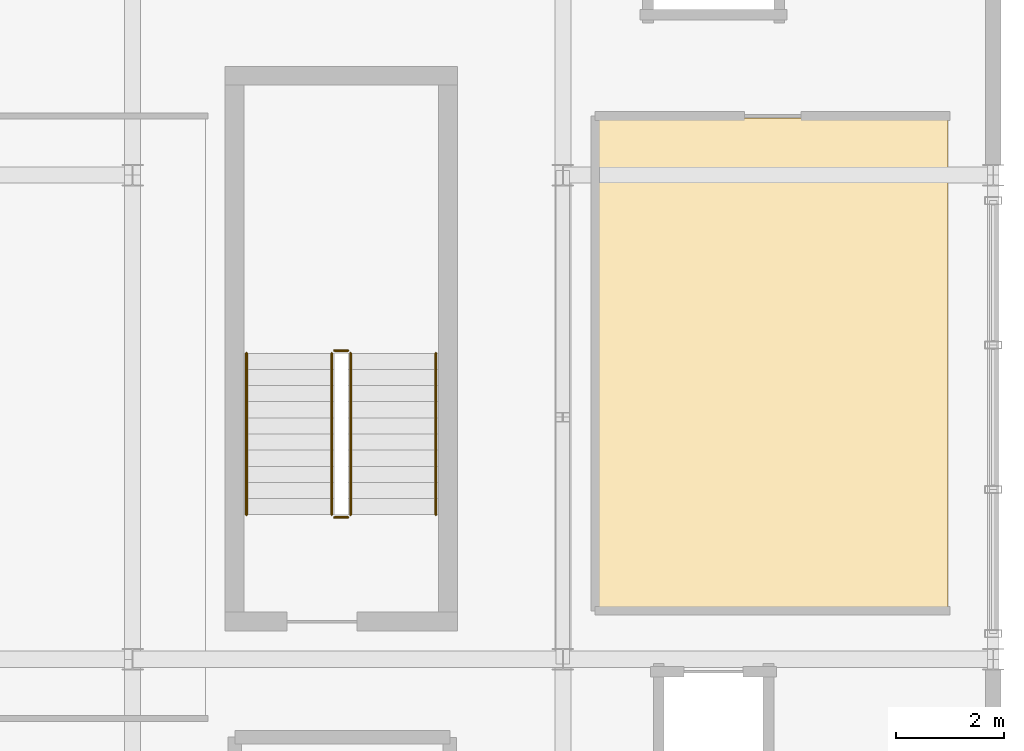
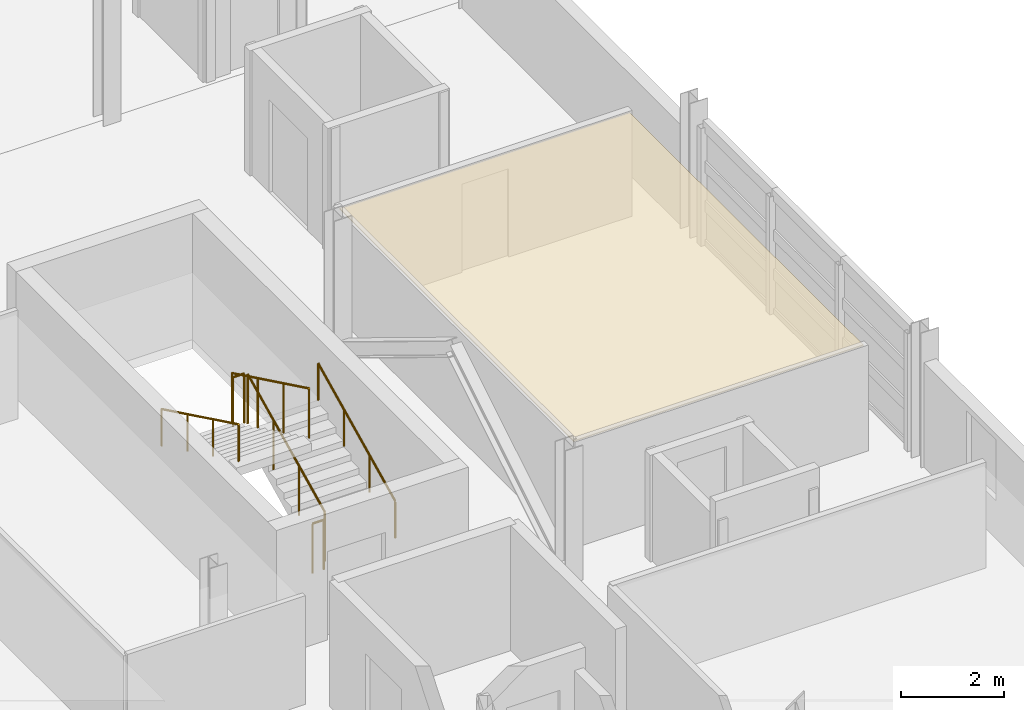
# One storey, part 82 of 86: 6 railings, 1 covering.
"""IFC4 building model written with IfcOpenShell, lengths in metres."""

from ifc_helpers import new_model, si_unit, direction, frame, origin, origin_2d, place, context, subcontext, project, spatial, polyline, circle, outline, extrude, material, layer, layer_set, type_object, element, save


model = new_model("IFC4")

# Units and contexts
model_context = context("Model", 3, precision=1e-05, world=origin(), true_north=direction((0.0, 1.0)))
body_context = subcontext(model_context, "Body", "Model", "MODEL_VIEW")
ifc_project = project(units=[si_unit("LENGTHUNIT", "METRE"), si_unit("AREAUNIT", "SQUARE_METRE"), si_unit("VOLUMEUNIT", "CUBIC_METRE"), si_unit("PLANEANGLEUNIT", "RADIAN"), si_unit("MASSUNIT", "GRAM", prefix="KILO")], contexts=[model_context])

# Site, building, storey
site_placement = place(None, origin())
site = spatial("IfcSite", under=ifc_project, at=site_placement, CompositionType="ELEMENT")
building_placement = place(site_placement, origin())
building = spatial("IfcBuilding", under=site, at=building_placement, Name="Chuanluo Vaults Station", CompositionType="ELEMENT")
storey_placement = place(building_placement, frame((0.0, 0.0, 14.39990234375)))
storey = spatial("IfcBuildingStorey", under=building, at=storey_placement, Name="L03", CompositionType="ELEMENT", Elevation=14.39990234375)

# Covering
ifc_material_1 = material(Name="Acoustic mineral-fibre tile")
ifc_layer = layer(ifc_material_1, 0.02490234375)
ifc_layer_set = layer_set([ifc_layer], Name="Acoustic mineral-fibre tile")
covering_type = type_object("IfcCoveringType", Name="COV-CEIL-TILE", PredefinedType="CEILING", material=ifc_layer_set)
covering_placement = place(storey_placement, frame((0.0, 0.0, 2.43505859375)))
element("IfcCovering", 1, at=covering_placement, inside=storey, type_object=covering_type, Name="L03-18 suspended acoustic ceiling", PredefinedType="CEILING", context=body_context, shape_type="SweptSolid", body=[
    extrude(outline(polyline([(180.639892578125, 86.43994140625), (187.159912109375, 86.43994140625), (187.159912109375, 95.56005859375), (180.639892578125, 95.56005859375), (180.639892578125, 86.43994140625)])), origin(), (0.0, 0.0, 1.0), 0.025146484375),
])

# Railings
ifc_material_2 = material(Name="Tempered laminated balustrade glass", Category="glass")
railing_type_1 = type_object("IfcRailingType", Name="RLG-GUARD-1200", PredefinedType="BALUSTRADE", material=ifc_material_2)
railing_1_placement = place(storey_placement, frame((176.052490234375, 88.1875, 0.1455078125)))
element("IfcRailing", 2, at=railing_1_placement, inside=storey, type_object=railing_type_1, Name="L03 ST-01 stair guard 1", PredefinedType="BALUSTRADE", context=body_context, shape_type="SweptSolid", body=[
    extrude(circle(Radius=0.02392578125, at=origin_2d()), frame((0.0, 0.0, 1.17578125), z_axis=(0.0, 0.899808880547, 0.43628428632), x_axis=(-1.0, 0.0, 0.0)), (0.0, 0.0, 1.0), 3.333984375),
    extrude(circle(Radius=0.02099609375, at=origin_2d()), origin(), (0.0, 0.0, 1.0), 1.15185546875),
    extrude(circle(Radius=0.02099609375, at=origin_2d()), frame((0.0, 1.0, 0.48486328125)), (0.0, 0.0, 1.0), 1.15185546875),
    extrude(circle(Radius=0.02099609375, at=origin_2d()), frame((0.0, 2.0, 0.9697265625)), (0.0, 0.0, 1.0), 1.15185546875),
    extrude(circle(Radius=0.02099609375, at=origin_2d()), frame((0.0, 3.0, 1.45458984375)), (0.0, 0.0, 1.0), 1.15185546875),
])
railing_2_placement = place(storey_placement, frame((176.00244140625, 91.237548828125, 1.60009765625)))
element("IfcRailing", 3, at=railing_2_placement, inside=storey, type_object=railing_type_1, Name="L03 ST-01 stair guard 2", PredefinedType="BALUSTRADE", context=body_context, shape_type="SweptSolid", body=[
    extrude(circle(Radius=0.02392578125, at=origin_2d()), frame((0.0, 0.0, 1.17578125), z_axis=(-1.0, 0.0, 0.0), x_axis=(0.0, -1.0, 0.0)), (0.0, 0.0, 1.0), 0.25),
    extrude(circle(Radius=0.02099609375, at=origin_2d()), origin(), (0.0, 0.0, 1.0), 1.15185546875),
    extrude(circle(Radius=0.02099609375, at=origin_2d()), frame((-0.25, 0.0, 0.0)), (0.0, 0.0, 1.0), 1.15185546875),
])
railing_3_placement = place(storey_placement, frame((175.702392578125, 91.1875, 1.74560546875)))
element("IfcRailing", 4, at=railing_3_placement, inside=storey, type_object=railing_type_1, Name="L03 ST-01 stair guard 3", PredefinedType="BALUSTRADE", context=body_context, shape_type="SweptSolid", body=[
    extrude(circle(Radius=0.02392578125, at=origin_2d()), frame((0.0, 0.0, 1.17578125), z_axis=(0.0, -0.899808880547, 0.43628428632), x_axis=(1.0, 0.0, 0.0)), (0.0, 0.0, 1.0), 3.333984375),
    extrude(circle(Radius=0.02099609375, at=origin_2d()), origin(), (0.0, 0.0, 1.0), 1.15185546875),
    extrude(circle(Radius=0.02099609375, at=origin_2d()), frame((0.0, -1.0, 0.48486328125)), (0.0, 0.0, 1.0), 1.15185546875),
    extrude(circle(Radius=0.02099609375, at=origin_2d()), frame((0.0, -2.0, 0.9697265625)), (0.0, 0.0, 1.0), 1.15185546875),
    extrude(circle(Radius=0.02099609375, at=origin_2d()), frame((0.0, -3.0, 1.45458984375)), (0.0, 0.0, 1.0), 1.15185546875),
])
railing_4_placement = place(storey_placement, frame((176.00244140625, 88.137451171875, 0.0)))
element("IfcRailing", 5, at=railing_4_placement, inside=storey, type_object=railing_type_1, Name="L03 ST-01 stair guard 4", PredefinedType="BALUSTRADE", context=body_context, shape_type="SweptSolid", body=[
    extrude(circle(Radius=0.02392578125, at=origin_2d()), frame((0.0, 0.0, 1.17578125), z_axis=(-1.0, 0.0, 0.0), x_axis=(0.0, -1.0, 0.0)), (0.0, 0.0, 1.0), 0.25),
    extrude(circle(Radius=0.02099609375, at=origin_2d()), origin(), (0.0, 0.0, 1.0), 1.15185546875),
    extrude(circle(Radius=0.02099609375, at=origin_2d()), frame((-0.25, 0.0, 0.0)), (0.0, 0.0, 1.0), 1.15185546875),
])
ifc_material_3 = material(Name="Brushed stainless steel 304", Category="steel")
railing_type_2 = type_object("IfcRailingType", Name="RLG-HAND-900", PredefinedType="HANDRAIL", material=ifc_material_3)
railing_5_placement = place(storey_placement, frame((177.637451171875, 88.1875, 0.1455078125)))
element("IfcRailing", 6, at=railing_5_placement, inside=storey, type_object=railing_type_2, Name="L03 ST-01 stair handrail 1", PredefinedType="HANDRAIL", context=body_context, shape_type="SweptSolid", body=[
    extrude(circle(Radius=0.02392578125, at=origin_2d()), frame((0.0, 0.0, 0.8759765625), z_axis=(0.0, 0.899808880547, 0.43628428632), x_axis=(-1.0, 0.0, 0.0)), (0.0, 0.0, 1.0), 3.333984375),
    extrude(circle(Radius=0.02099609375, at=origin_2d()), origin(), (0.0, 0.0, 1.0), 0.851806640625),
    extrude(circle(Radius=0.02099609375, at=origin_2d()), frame((0.0, 1.0, 0.48486328125)), (0.0, 0.0, 1.0), 0.851806640625),
    extrude(circle(Radius=0.02099609375, at=origin_2d()), frame((0.0, 2.0, 0.9697265625)), (0.0, 0.0, 1.0), 0.851806640625),
    extrude(circle(Radius=0.02099609375, at=origin_2d()), frame((0.0, 3.0, 1.45458984375)), (0.0, 0.0, 1.0), 0.851806640625),
])
railing_6_placement = place(storey_placement, frame((174.117431640625, 91.1875, 1.74560546875)))
element("IfcRailing", 7, at=railing_6_placement, inside=storey, type_object=railing_type_2, Name="L03 ST-01 stair handrail 2", PredefinedType="HANDRAIL", context=body_context, shape_type="SweptSolid", body=[
    extrude(circle(Radius=0.02392578125, at=origin_2d()), frame((0.0, 0.0, 0.8759765625), z_axis=(0.0, -0.899808880547, 0.43628428632), x_axis=(1.0, 0.0, 0.0)), (0.0, 0.0, 1.0), 3.333984375),
    extrude(circle(Radius=0.02099609375, at=origin_2d()), origin(), (0.0, 0.0, 1.0), 0.851806640625),
    extrude(circle(Radius=0.02099609375, at=origin_2d()), frame((0.0, -1.0, 0.48486328125)), (0.0, 0.0, 1.0), 0.851806640625),
    extrude(circle(Radius=0.02099609375, at=origin_2d()), frame((0.0, -2.0, 0.9697265625)), (0.0, 0.0, 1.0), 0.851806640625),
    extrude(circle(Radius=0.02099609375, at=origin_2d()), frame((0.0, -3.0, 1.45458984375)), (0.0, 0.0, 1.0), 0.851806640625),
])

save(model, "model.ifc")
